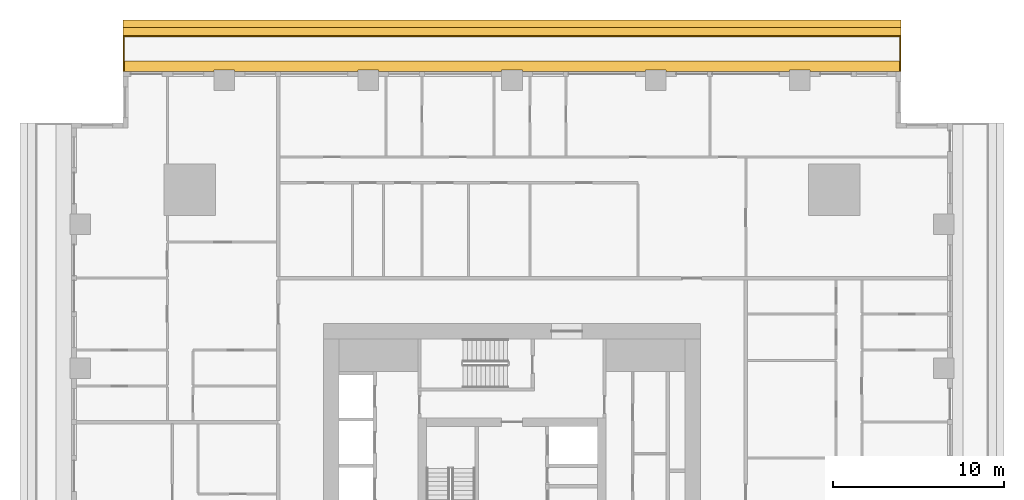
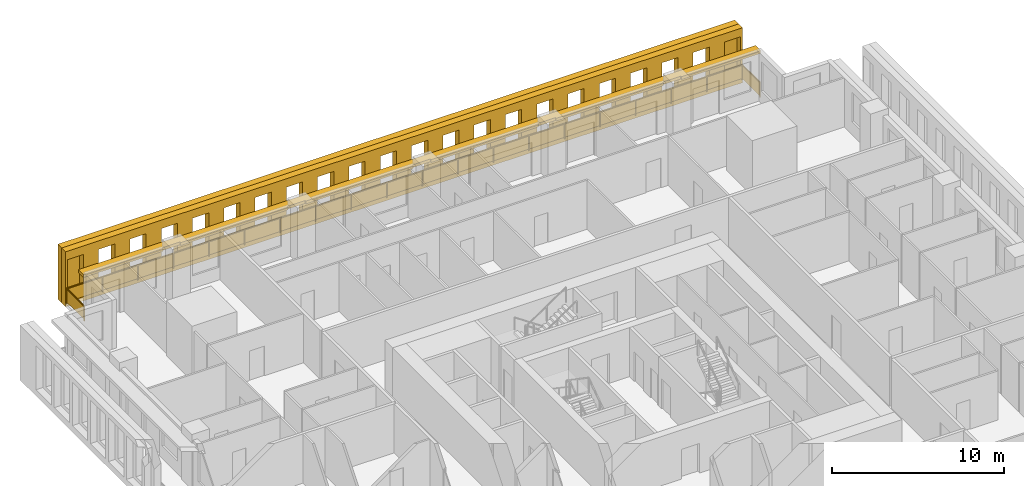
# One storey, part 14 of 14: 3 shading devices, 1 railing.
"""IFC4 building model written with IfcOpenShell, lengths in metres."""

from ifc_helpers import new_model, si_unit, direction, frame, origin, origin_2d, place, context, subcontext, project, spatial, polyline, rectangle, outline, extrude, material, layer, layer_set, type_object, element, save


model = new_model("IFC4")

# Units and contexts
model_context = context("Model", 3, precision=1e-05, world=origin(), true_north=direction((0.0, 1.0)))
body_context = subcontext(model_context, "Body", "Model", "MODEL_VIEW")
ifc_project = project(units=[si_unit("LENGTHUNIT", "METRE"), si_unit("AREAUNIT", "SQUARE_METRE"), si_unit("VOLUMEUNIT", "CUBIC_METRE"), si_unit("PLANEANGLEUNIT", "RADIAN"), si_unit("MASSUNIT", "GRAM", prefix="KILO")], contexts=[model_context])

# Site, building, storey
site_placement = place(None, origin())
site = spatial("IfcSite", under=ifc_project, at=site_placement, CompositionType="ELEMENT")
building_placement = place(site_placement, origin())
building = spatial("IfcBuilding", under=site, at=building_placement, Name="Khepri Terraces", CompositionType="ELEMENT")
storey_placement = place(building_placement, frame((0.0, 0.0, 66.0)))
storey = spatial("IfcBuildingStorey", under=building, at=storey_placement, Name="L15", CompositionType="ELEMENT", Elevation=66.0)

# Railing
ifc_material_1 = material(Name="Stainless steel grade 316", Category="steel")
railing_type = type_object("IfcRailingType", Name="GRD-BAL-1100", PredefinedType="GUARDRAIL", material=ifc_material_1)
railing_placement = place(storey_placement, frame((22.669921875, 25.719970703125, 0.0)))
element("IfcRailing", 1, at=railing_placement, inside=storey, type_object=railing_type, Name="Balcony guard L15 N", PredefinedType="GUARDRAIL", context=body_context, shape_type="SweptSolid", body=[
    extrude(rectangle(XDim=0.050048828125, YDim=0.06005859375, at=origin_2d()), frame((0.0, 0.0, 1.070068359375), z_axis=(0.0, 1.0, 0.0), x_axis=(-1.0, 0.0, 0.0)), (0.0, 0.0, 1.0), 2.050048828125),
    extrude(rectangle(XDim=2.0, YDim=0.011962890625, at=origin_2d()), frame((0.0, 1.02490234375, 0.10009765625), z_axis=(0.0, 0.0, 1.0), x_axis=(0.0, 1.0, 0.0)), (0.0, 0.0, 1.0), 0.93994140625),
    extrude(rectangle(XDim=0.050048828125, YDim=0.06005859375, at=origin_2d()), frame((0.0, 2.050048828125, 1.070068359375), z_axis=(-1.0, 0.0, 0.0), x_axis=(0.0, -1.0, 0.0)), (0.0, 0.0, 1.0), 45.33984375),
    extrude(rectangle(XDim=2.336181640625, YDim=0.011962890625, at=origin_2d()), frame((-1.193115234375, 2.050048828125, 0.10009765625), z_axis=(0.0, 0.0, 1.0), x_axis=(-1.0, 0.0, 0.0)), (0.0, 0.0, 1.0), 0.93994140625),
    extrude(rectangle(XDim=2.336181640625, YDim=0.011962890625, at=origin_2d()), frame((-3.579345703125, 2.050048828125, 0.10009765625), z_axis=(0.0, 0.0, 1.0), x_axis=(-1.0, 0.0, 0.0)), (0.0, 0.0, 1.0), 0.93994140625),
    extrude(rectangle(XDim=2.336181640625, YDim=0.011962890625, at=origin_2d()), frame((-5.9658203125, 2.050048828125, 0.10009765625), z_axis=(0.0, 0.0, 1.0), x_axis=(-1.0, 0.0, 0.0)), (0.0, 0.0, 1.0), 0.93994140625),
    extrude(rectangle(XDim=2.336181640625, YDim=0.011962890625, at=origin_2d()), frame((-8.35205078125, 2.050048828125, 0.10009765625), z_axis=(0.0, 0.0, 1.0), x_axis=(-1.0, 0.0, 0.0)), (0.0, 0.0, 1.0), 0.93994140625),
    extrude(rectangle(XDim=2.336181640625, YDim=0.011962890625, at=origin_2d()), frame((-10.73828125, 2.050048828125, 0.10009765625), z_axis=(0.0, 0.0, 1.0), x_axis=(-1.0, 0.0, 0.0)), (0.0, 0.0, 1.0), 0.93994140625),
    extrude(rectangle(XDim=2.336181640625, YDim=0.011962890625, at=origin_2d()), frame((-13.124755859375, 2.050048828125, 0.10009765625), z_axis=(0.0, 0.0, 1.0), x_axis=(-1.0, 0.0, 0.0)), (0.0, 0.0, 1.0), 0.93994140625),
    extrude(rectangle(XDim=2.336181640625, YDim=0.011962890625, at=origin_2d()), frame((-15.510986328125, 2.050048828125, 0.10009765625), z_axis=(0.0, 0.0, 1.0), x_axis=(-1.0, 0.0, 0.0)), (0.0, 0.0, 1.0), 0.93994140625),
    extrude(rectangle(XDim=2.336181640625, YDim=0.011962890625, at=origin_2d()), frame((-17.897216796875, 2.050048828125, 0.10009765625), z_axis=(0.0, 0.0, 1.0), x_axis=(-1.0, 0.0, 0.0)), (0.0, 0.0, 1.0), 0.93994140625),
    extrude(rectangle(XDim=2.336181640625, YDim=0.011962890625, at=origin_2d()), frame((-20.28369140625, 2.050048828125, 0.10009765625), z_axis=(0.0, 0.0, 1.0), x_axis=(-1.0, 0.0, 0.0)), (0.0, 0.0, 1.0), 0.93994140625),
    extrude(rectangle(XDim=2.336181640625, YDim=0.011962890625, at=origin_2d()), frame((-22.669921875, 2.050048828125, 0.10009765625), z_axis=(0.0, 0.0, 1.0), x_axis=(-1.0, 0.0, 0.0)), (0.0, 0.0, 1.0), 0.93994140625),
    extrude(rectangle(XDim=2.336181640625, YDim=0.011962890625, at=origin_2d()), frame((-25.05615234375, 2.050048828125, 0.10009765625), z_axis=(0.0, 0.0, 1.0), x_axis=(-1.0, 0.0, 0.0)), (0.0, 0.0, 1.0), 0.93994140625),
    extrude(rectangle(XDim=2.336181640625, YDim=0.011962890625, at=origin_2d()), frame((-27.442626953125, 2.050048828125, 0.10009765625), z_axis=(0.0, 0.0, 1.0), x_axis=(-1.0, 0.0, 0.0)), (0.0, 0.0, 1.0), 0.93994140625),
    extrude(rectangle(XDim=2.336181640625, YDim=0.011962890625, at=origin_2d()), frame((-29.828857421875, 2.050048828125, 0.10009765625), z_axis=(0.0, 0.0, 1.0), x_axis=(-1.0, 0.0, 0.0)), (0.0, 0.0, 1.0), 0.93994140625),
    extrude(rectangle(XDim=2.336181640625, YDim=0.011962890625, at=origin_2d()), frame((-32.215087890625, 2.050048828125, 0.10009765625), z_axis=(0.0, 0.0, 1.0), x_axis=(-1.0, 0.0, 0.0)), (0.0, 0.0, 1.0), 0.93994140625),
    extrude(rectangle(XDim=2.336181640625, YDim=0.011962890625, at=origin_2d()), frame((-34.6015625, 2.050048828125, 0.10009765625), z_axis=(0.0, 0.0, 1.0), x_axis=(-1.0, 0.0, 0.0)), (0.0, 0.0, 1.0), 0.93994140625),
    extrude(rectangle(XDim=2.336181640625, YDim=0.011962890625, at=origin_2d()), frame((-36.98779296875, 2.050048828125, 0.10009765625), z_axis=(0.0, 0.0, 1.0), x_axis=(-1.0, 0.0, 0.0)), (0.0, 0.0, 1.0), 0.93994140625),
    extrude(rectangle(XDim=2.336181640625, YDim=0.011962890625, at=origin_2d()), frame((-39.3740234375, 2.050048828125, 0.10009765625), z_axis=(0.0, 0.0, 1.0), x_axis=(-1.0, 0.0, 0.0)), (0.0, 0.0, 1.0), 0.93994140625),
    extrude(rectangle(XDim=2.336181640625, YDim=0.011962890625, at=origin_2d()), frame((-41.760498046875, 2.050048828125, 0.10009765625), z_axis=(0.0, 0.0, 1.0), x_axis=(-1.0, 0.0, 0.0)), (0.0, 0.0, 1.0), 0.93994140625),
    extrude(rectangle(XDim=2.336181640625, YDim=0.011962890625, at=origin_2d()), frame((-44.146728515625, 2.050048828125, 0.10009765625), z_axis=(0.0, 0.0, 1.0), x_axis=(-1.0, 0.0, 0.0)), (0.0, 0.0, 1.0), 0.93994140625),
    extrude(rectangle(XDim=0.050048828125, YDim=0.06005859375, at=origin_2d()), frame((-45.33984375, 2.050048828125, 1.070068359375), z_axis=(0.0, -1.0, 0.0), x_axis=(1.0, 0.0, 0.0)), (0.0, 0.0, 1.0), 2.050048828125),
    extrude(rectangle(XDim=2.0, YDim=0.011962890625, at=origin_2d()), frame((-45.33984375, 1.02490234375, 0.10009765625), z_axis=(0.0, 0.0, 1.0), x_axis=(0.0, -1.0, 0.0)), (0.0, 0.0, 1.0), 0.93994140625),
    extrude(rectangle(XDim=0.050048828125, YDim=0.050048828125, at=origin_2d()), origin(), (0.0, 0.0, 1.0), 1.0400390625),
    extrude(rectangle(XDim=0.050048828125, YDim=0.050048828125, at=origin_2d()), frame((0.0, 2.050048828125, 0.0)), (0.0, 0.0, 1.0), 1.0400390625),
    extrude(rectangle(XDim=0.050048828125, YDim=0.050048828125, at=origin_2d()), frame((-2.38623046875, 2.050048828125, 0.0)), (0.0, 0.0, 1.0), 1.0400390625),
    extrude(rectangle(XDim=0.050048828125, YDim=0.050048828125, at=origin_2d()), frame((-4.772705078125, 2.050048828125, 0.0)), (0.0, 0.0, 1.0), 1.0400390625),
    extrude(rectangle(XDim=0.050048828125, YDim=0.050048828125, at=origin_2d()), frame((-7.158935546875, 2.050048828125, 0.0)), (0.0, 0.0, 1.0), 1.0400390625),
    extrude(rectangle(XDim=0.050048828125, YDim=0.050048828125, at=origin_2d()), frame((-9.545166015625, 2.050048828125, 0.0)), (0.0, 0.0, 1.0), 1.0400390625),
    extrude(rectangle(XDim=0.050048828125, YDim=0.050048828125, at=origin_2d()), frame((-11.931640625, 2.050048828125, 0.0)), (0.0, 0.0, 1.0), 1.0400390625),
    extrude(rectangle(XDim=0.050048828125, YDim=0.050048828125, at=origin_2d()), frame((-14.31787109375, 2.050048828125, 0.0)), (0.0, 0.0, 1.0), 1.0400390625),
    extrude(rectangle(XDim=0.050048828125, YDim=0.050048828125, at=origin_2d()), frame((-16.7041015625, 2.050048828125, 0.0)), (0.0, 0.0, 1.0), 1.0400390625),
    extrude(rectangle(XDim=0.050048828125, YDim=0.050048828125, at=origin_2d()), frame((-19.090576171875, 2.050048828125, 0.0)), (0.0, 0.0, 1.0), 1.0400390625),
    extrude(rectangle(XDim=0.050048828125, YDim=0.050048828125, at=origin_2d()), frame((-21.476806640625, 2.050048828125, 0.0)), (0.0, 0.0, 1.0), 1.0400390625),
    extrude(rectangle(XDim=0.050048828125, YDim=0.050048828125, at=origin_2d()), frame((-23.863037109375, 2.050048828125, 0.0)), (0.0, 0.0, 1.0), 1.0400390625),
    extrude(rectangle(XDim=0.050048828125, YDim=0.050048828125, at=origin_2d()), frame((-26.249267578125, 2.050048828125, 0.0)), (0.0, 0.0, 1.0), 1.0400390625),
    extrude(rectangle(XDim=0.050048828125, YDim=0.050048828125, at=origin_2d()), frame((-28.6357421875, 2.050048828125, 0.0)), (0.0, 0.0, 1.0), 1.0400390625),
    extrude(rectangle(XDim=0.050048828125, YDim=0.050048828125, at=origin_2d()), frame((-31.02197265625, 2.050048828125, 0.0)), (0.0, 0.0, 1.0), 1.0400390625),
    extrude(rectangle(XDim=0.050048828125, YDim=0.050048828125, at=origin_2d()), frame((-33.408203125, 2.050048828125, 0.0)), (0.0, 0.0, 1.0), 1.0400390625),
    extrude(rectangle(XDim=0.050048828125, YDim=0.050048828125, at=origin_2d()), frame((-35.794677734375, 2.050048828125, 0.0)), (0.0, 0.0, 1.0), 1.0400390625),
    extrude(rectangle(XDim=0.050048828125, YDim=0.050048828125, at=origin_2d()), frame((-38.180908203125, 2.050048828125, 0.0)), (0.0, 0.0, 1.0), 1.0400390625),
    extrude(rectangle(XDim=0.050048828125, YDim=0.050048828125, at=origin_2d()), frame((-40.567138671875, 2.050048828125, 0.0)), (0.0, 0.0, 1.0), 1.0400390625),
    extrude(rectangle(XDim=0.050048828125, YDim=0.050048828125, at=origin_2d()), frame((-42.95361328125, 2.050048828125, 0.0)), (0.0, 0.0, 1.0), 1.0400390625),
    extrude(rectangle(XDim=0.050048828125, YDim=0.050048828125, at=origin_2d()), frame((-45.33984375, 2.050048828125, 0.0)), (0.0, 0.0, 1.0), 1.0400390625),
    extrude(rectangle(XDim=0.050048828125, YDim=0.050048828125, at=origin_2d()), frame((-45.33984375, 0.0, 0.0)), (0.0, 0.0, 1.0), 1.0400390625),
])

# Shading devices
ifc_material_2 = material(Name="Precast concrete C50/60 warm stone", Category="masonry")
shading_device_type_1 = type_object("IfcShadingDeviceType", Name="SCR-CELL-INNER-450", PredefinedType="USERDEFINED", material=ifc_material_2)
shading_device_1_placement = place(storey_placement, frame((22.719970703125, 27.820068359375, -0.25), z_axis=(0.0, 1.0, 0.0), x_axis=(-1.0, 0.0, 0.0)))
element("IfcShadingDevice", 2, at=shading_device_1_placement, inside=storey, type_object=shading_device_type_1, Name="Cell screen L15 N in", ObjectType="SCREEN", PredefinedType="USERDEFINED", context=body_context, shape_type="SweptSolid", body=[
    extrude(outline(polyline([(0.0, 0.0), (45.43994140625, 0.0), (45.43994140625, 3.89990234375), (0.0, 3.89990234375), (0.0, 0.0)]), holes=[polyline([(0.126708984375, 0.699951171875), (1.21337890625, 0.699951171875), (1.21337890625, 3.300048828125), (0.126708984375, 3.300048828125), (0.126708984375, 0.699951171875)]), polyline([(2.2265625, 0.699951171875), (3.3134765625, 0.699951171875), (3.3134765625, 3.300048828125), (2.2265625, 3.300048828125), (2.2265625, 0.699951171875)]), polyline([(4.32666015625, 0.699951171875), (5.413330078125, 0.699951171875), (5.413330078125, 3.300048828125), (4.32666015625, 3.300048828125), (4.32666015625, 0.699951171875)]), polyline([(6.426513671875, 0.699951171875), (7.513427734375, 0.699951171875), (7.513427734375, 3.300048828125), (6.426513671875, 3.300048828125), (6.426513671875, 0.699951171875)]), polyline([(8.526611328125, 0.699951171875), (9.61328125, 0.699951171875), (9.61328125, 3.300048828125), (8.526611328125, 3.300048828125), (8.526611328125, 0.699951171875)]), polyline([(10.626708984375, 0.699951171875), (11.71337890625, 0.699951171875), (11.71337890625, 3.300048828125), (10.626708984375, 3.300048828125), (10.626708984375, 0.699951171875)]), polyline([(12.7265625, 0.699951171875), (13.8134765625, 0.699951171875), (13.8134765625, 3.300048828125), (12.7265625, 3.300048828125), (12.7265625, 0.699951171875)]), polyline([(14.82666015625, 0.699951171875), (15.913330078125, 0.699951171875), (15.913330078125, 3.300048828125), (14.82666015625, 3.300048828125), (14.82666015625, 0.699951171875)]), polyline([(16.926513671875, 0.699951171875), (18.013427734375, 0.699951171875), (18.013427734375, 3.300048828125), (16.926513671875, 3.300048828125), (16.926513671875, 0.699951171875)]), polyline([(19.026611328125, 0.699951171875), (20.11328125, 0.699951171875), (20.11328125, 3.300048828125), (19.026611328125, 3.300048828125), (19.026611328125, 0.699951171875)]), polyline([(21.126708984375, 0.699951171875), (22.21337890625, 0.699951171875), (22.21337890625, 3.300048828125), (21.126708984375, 3.300048828125), (21.126708984375, 0.699951171875)]), polyline([(23.2265625, 0.699951171875), (24.3134765625, 0.699951171875), (24.3134765625, 3.300048828125), (23.2265625, 3.300048828125), (23.2265625, 0.699951171875)]), polyline([(25.32666015625, 0.699951171875), (26.413330078125, 0.699951171875), (26.413330078125, 3.300048828125), (25.32666015625, 3.300048828125), (25.32666015625, 0.699951171875)]), polyline([(27.426513671875, 0.699951171875), (28.513427734375, 0.699951171875), (28.513427734375, 3.300048828125), (27.426513671875, 3.300048828125), (27.426513671875, 0.699951171875)]), polyline([(29.526611328125, 0.699951171875), (30.61328125, 0.699951171875), (30.61328125, 3.300048828125), (29.526611328125, 3.300048828125), (29.526611328125, 0.699951171875)]), polyline([(31.626708984375, 0.699951171875), (32.71337890625, 0.699951171875), (32.71337890625, 3.300048828125), (31.626708984375, 3.300048828125), (31.626708984375, 0.699951171875)]), polyline([(33.7265625, 0.699951171875), (34.8134765625, 0.699951171875), (34.8134765625, 3.300048828125), (33.7265625, 3.300048828125), (33.7265625, 0.699951171875)]), polyline([(35.82666015625, 0.699951171875), (36.913330078125, 0.699951171875), (36.913330078125, 3.300048828125), (35.82666015625, 3.300048828125), (35.82666015625, 0.699951171875)]), polyline([(37.926513671875, 0.699951171875), (39.013427734375, 0.699951171875), (39.013427734375, 3.300048828125), (37.926513671875, 3.300048828125), (37.926513671875, 0.699951171875)]), polyline([(40.026611328125, 0.699951171875), (41.11328125, 0.699951171875), (41.11328125, 3.300048828125), (40.026611328125, 3.300048828125), (40.026611328125, 0.699951171875)]), polyline([(42.126708984375, 0.699951171875), (43.21337890625, 0.699951171875), (43.21337890625, 3.300048828125), (42.126708984375, 3.300048828125), (42.126708984375, 0.699951171875)]), polyline([(44.2265625, 0.699951171875), (45.3134765625, 0.699951171875), (45.3134765625, 3.300048828125), (44.2265625, 3.300048828125), (44.2265625, 0.699951171875)])]), origin(), (0.0, 0.0, 1.0), 0.449951171875),
])
shading_device_type_2 = type_object("IfcShadingDeviceType", Name="SCR-CELL-OUTER-450", PredefinedType="USERDEFINED", material=ifc_material_2)
shading_device_2_placement = place(storey_placement, frame((22.719970703125, 28.27001953125, -0.25), z_axis=(0.0, 1.0, 0.0), x_axis=(-1.0, 0.0, 0.0)))
element("IfcShadingDevice", 3, at=shading_device_2_placement, inside=storey, type_object=shading_device_type_2, Name="Cell screen L15 N out", ObjectType="SCREEN", PredefinedType="USERDEFINED", context=body_context, shape_type="SweptSolid", body=[
    extrude(outline(polyline([(0.0, 0.0), (45.43994140625, 0.0), (45.43994140625, 3.89990234375), (0.0, 3.89990234375), (0.0, 0.0)]), holes=[polyline([(1.876708984375, 0.449951171875), (3.663330078125, 0.449951171875), (3.663330078125, 3.550048828125), (1.876708984375, 3.550048828125), (1.876708984375, 0.449951171875)]), polyline([(3.9765625, 0.449951171875), (5.763427734375, 0.449951171875), (5.763427734375, 3.550048828125), (3.9765625, 3.550048828125), (3.9765625, 0.449951171875)]), polyline([(6.07666015625, 0.449951171875), (7.86328125, 0.449951171875), (7.86328125, 3.550048828125), (6.07666015625, 3.550048828125), (6.07666015625, 0.449951171875)]), polyline([(8.176513671875, 0.449951171875), (9.96337890625, 0.449951171875), (9.96337890625, 3.550048828125), (8.176513671875, 3.550048828125), (8.176513671875, 0.449951171875)]), polyline([(10.276611328125, 0.449951171875), (12.0634765625, 0.449951171875), (12.0634765625, 3.550048828125), (10.276611328125, 3.550048828125), (10.276611328125, 0.449951171875)]), polyline([(12.376708984375, 0.449951171875), (14.163330078125, 0.449951171875), (14.163330078125, 3.550048828125), (12.376708984375, 3.550048828125), (12.376708984375, 0.449951171875)]), polyline([(14.4765625, 0.449951171875), (16.263427734375, 0.449951171875), (16.263427734375, 3.550048828125), (14.4765625, 3.550048828125), (14.4765625, 0.449951171875)]), polyline([(16.57666015625, 0.449951171875), (18.36328125, 0.449951171875), (18.36328125, 3.550048828125), (16.57666015625, 3.550048828125), (16.57666015625, 0.449951171875)]), polyline([(18.676513671875, 0.449951171875), (20.46337890625, 0.449951171875), (20.46337890625, 3.550048828125), (18.676513671875, 3.550048828125), (18.676513671875, 0.449951171875)]), polyline([(20.776611328125, 0.449951171875), (22.5634765625, 0.449951171875), (22.5634765625, 3.550048828125), (20.776611328125, 3.550048828125), (20.776611328125, 0.449951171875)]), polyline([(22.876708984375, 0.449951171875), (24.663330078125, 0.449951171875), (24.663330078125, 3.550048828125), (22.876708984375, 3.550048828125), (22.876708984375, 0.449951171875)]), polyline([(24.9765625, 0.449951171875), (26.763427734375, 0.449951171875), (26.763427734375, 3.550048828125), (24.9765625, 3.550048828125), (24.9765625, 0.449951171875)]), polyline([(27.07666015625, 0.449951171875), (28.86328125, 0.449951171875), (28.86328125, 3.550048828125), (27.07666015625, 3.550048828125), (27.07666015625, 0.449951171875)]), polyline([(29.176513671875, 0.449951171875), (30.96337890625, 0.449951171875), (30.96337890625, 3.550048828125), (29.176513671875, 3.550048828125), (29.176513671875, 0.449951171875)]), polyline([(31.276611328125, 0.449951171875), (33.0634765625, 0.449951171875), (33.0634765625, 3.550048828125), (31.276611328125, 3.550048828125), (31.276611328125, 0.449951171875)]), polyline([(33.376708984375, 0.449951171875), (35.163330078125, 0.449951171875), (35.163330078125, 3.550048828125), (33.376708984375, 3.550048828125), (33.376708984375, 0.449951171875)]), polyline([(35.4765625, 0.449951171875), (37.263427734375, 0.449951171875), (37.263427734375, 3.550048828125), (35.4765625, 3.550048828125), (35.4765625, 0.449951171875)]), polyline([(37.57666015625, 0.449951171875), (39.36328125, 0.449951171875), (39.36328125, 3.550048828125), (37.57666015625, 3.550048828125), (37.57666015625, 0.449951171875)]), polyline([(39.676513671875, 0.449951171875), (41.46337890625, 0.449951171875), (41.46337890625, 3.550048828125), (39.676513671875, 3.550048828125), (39.676513671875, 0.449951171875)]), polyline([(41.776611328125, 0.449951171875), (43.5634765625, 0.449951171875), (43.5634765625, 3.550048828125), (41.776611328125, 3.550048828125), (41.776611328125, 0.449951171875)])]), origin(), (0.0, 0.0, 1.0), 0.449951171875),
])
ifc_layer = layer(ifc_material_2, 0.199951171875, Name="Precast concrete C50/60 warm stone", Category="masonry")
ifc_layer_set = layer_set([ifc_layer], Name="Precast concrete C50/60 warm stone")
shading_device_type_3 = type_object("IfcShadingDeviceType", Name="SSH-BAND-STONE-200-N", PredefinedType="USERDEFINED", material=ifc_layer_set)
shading_device_3_placement = place(storey_placement, frame((0.0, 0.0, 3.10009765625)))
element("IfcShadingDevice", 4, at=shading_device_3_placement, inside=storey, type_object=shading_device_type_3, Name="Sunshade band L15 N", ObjectType="SUNSHADE", PredefinedType="USERDEFINED", context=body_context, shape_type="SweptSolid", body=[
    extrude(outline(polyline([(17.39990234375, 25.719970703125), (22.719970703125, 25.719970703125), (22.719970703125, 26.320068359375), (-22.719970703125, 26.320068359375), (-22.719970703125, 25.719970703125), (-17.39990234375, 25.719970703125), (-17.39990234375, 25.800048828125), (-16.199951171875, 25.800048828125), (-16.199951171875, 25.719970703125), (-9.0, 25.719970703125), (-9.0, 25.800048828125), (-7.800048828125, 25.800048828125), (-7.800048828125, 25.719970703125), (-0.60009765625, 25.719970703125), (-0.60009765625, 25.800048828125), (0.60009765625, 25.800048828125), (0.60009765625, 25.719970703125), (7.800048828125, 25.719970703125), (7.800048828125, 25.800048828125), (9.0, 25.800048828125), (9.0, 25.719970703125), (16.199951171875, 25.719970703125), (16.199951171875, 25.800048828125), (17.39990234375, 25.800048828125), (17.39990234375, 25.719970703125)])), origin(), (0.0, 0.0, 1.0), 0.199951171875),
])

save(model, "model.ifc")
